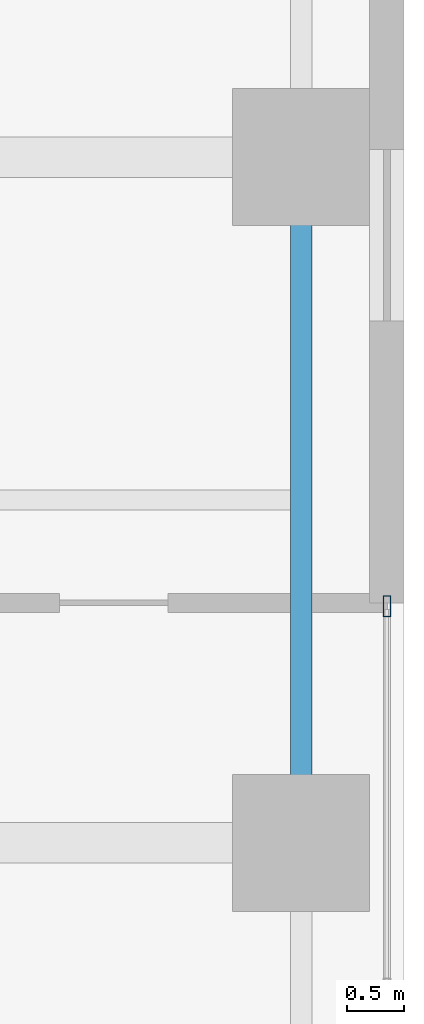
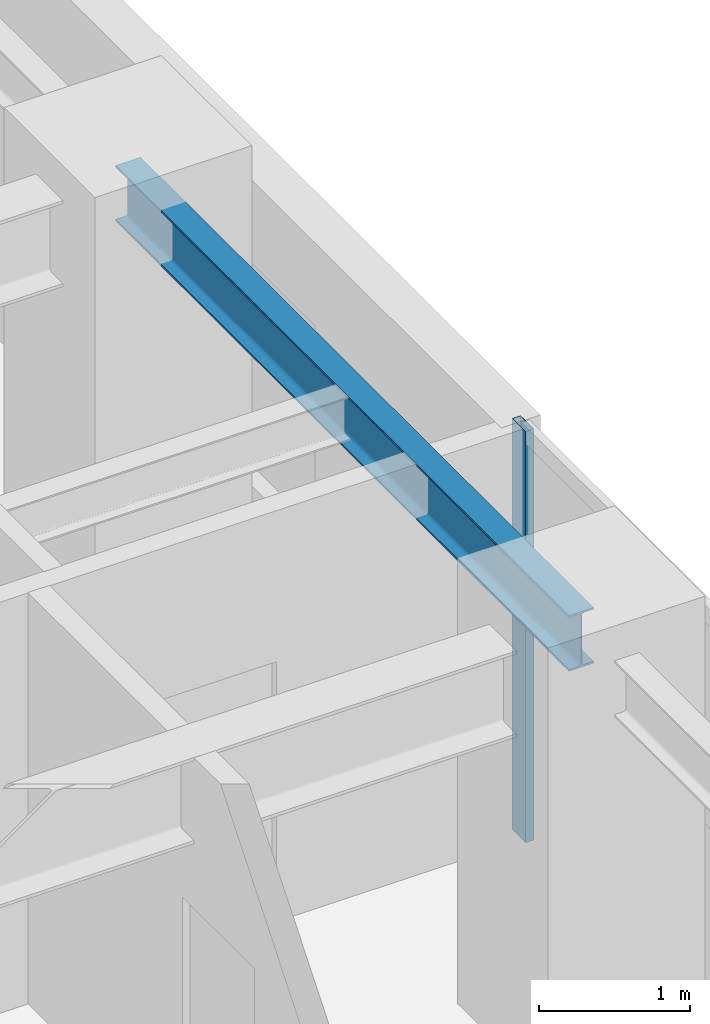
# One storey, part 17 of 24: 1 beam, 1 member, 1 element without a shape of its own.
"""IFC4 building model written with IfcOpenShell, lengths in metres."""

from ifc_helpers import new_model, si_unit, direction, frame, origin, origin_2d, place, context, subcontext, project, spatial, hollow_rectangle, i_section, extrude, source, transform, mapped, material, layer, layer_set, material_profile, profile_set, type_object, element, aggregate, save


model = new_model("IFC4")

# Units and contexts
model_context = context("Model", 3, precision=1e-05, world=origin(), true_north=direction((0.0, 1.0)))
body_context = subcontext(model_context, "Body", "Model", "MODEL_VIEW")
ifc_project = project(units=[si_unit("LENGTHUNIT", "METRE"), si_unit("AREAUNIT", "SQUARE_METRE"), si_unit("VOLUMEUNIT", "CUBIC_METRE"), si_unit("PLANEANGLEUNIT", "RADIAN"), si_unit("MASSUNIT", "GRAM", prefix="KILO")], contexts=[model_context])

# Site, building, storey
site_placement = place(None, origin())
site = spatial("IfcSite", under=ifc_project, at=site_placement, CompositionType="ELEMENT")
building_placement = place(site_placement, origin())
building = spatial("IfcBuilding", under=site, at=building_placement, Name="Khoralis Quay Care Tower", CompositionType="ELEMENT")
storey_placement = place(building_placement, frame((0.0, 0.0, 54.89990234375)))
storey = spatial("IfcBuildingStorey", under=building, at=storey_placement, Name="L14", CompositionType="ELEMENT", Elevation=54.89990234375)

# Beam
ifc_material_1 = material(Name="Steel S355", Category="steel")
ifc_material_profile_1 = material_profile(ifc_material_1, i_section(OverallWidth=0.18994140625, OverallDepth=0.449951171875, WebThickness=0.009521484375, FlangeThickness=0.0146484375, FilletRadius=0.02099609375, at=origin_2d()), Name="Steel S355")
ifc_profile_set_1 = profile_set([ifc_material_profile_1], Name="Steel S355")
beam_type = type_object("IfcBeamType", Name="BM-IPE450", PredefinedType="SPANDREL", material=ifc_profile_set_1)
shared_shape_1 = source(origin(), body_context, "Body", "SweptSolid", [
    extrude(i_section(OverallWidth=0.18994140625, OverallDepth=0.449951171875, WebThickness=0.009521484375, FlangeThickness=0.0146484375, FilletRadius=0.02099609375, at=origin_2d()), origin(), (0.0, 0.0, 1.0), 6.0),
])
beam_placement = place(storey_placement, frame((47.10009765625, 30.0, 3.09521484375), z_axis=(0.0, 1.0, 0.0), x_axis=(-1.0, 0.0, 0.0)))
element("IfcBeam", 1, at=beam_placement, inside=storey, type_object=beam_type, Name="BM-TSP-L14-23", PredefinedType="SPANDREL", context=body_context, shape_type="MappedRepresentation", body=[
    mapped(shared_shape_1, transform((0.0, 0.0, 0.0), scale=1.0)),
])

# Curtain wall, member
ifc_material_2 = material(Name="Pale anodised aluminium", Category="aluminium")
ifc_layer = layer(ifc_material_2, 0.179931640625)
ifc_layer_set = layer_set([ifc_layer], Name="Pale anodised aluminium")
curtain_wall_type = type_object("IfcCurtainWallType", Name="CW-SYS-Z1", PredefinedType="NOTDEFINED", material=ifc_layer_set)
curtain_wall_placement = place(storey_placement, origin())
curtain_wall = element("IfcCurtainWall", 2, at=curtain_wall_placement, inside=storey, type_object=curtain_wall_type, Name="L14 Unitised Curtain Wall CW-L14-P1-E5", PredefinedType="NOTDEFINED")
ifc_material_profile_2 = material_profile(ifc_material_2, hollow_rectangle(XDim=0.06494140625, YDim=0.179931640625, WallThickness=0.00390625, at=origin_2d()), Name="Pale anodised aluminium")
ifc_profile_set_2 = profile_set([ifc_material_profile_2], Name="Pale anodised aluminium")
member_type = type_object("IfcMemberType", Name="CW-MUL-180", PredefinedType="MULLION", material=ifc_profile_set_2)
shared_shape_2 = source(origin(), body_context, "Body", "SweptSolid", [
    extrude(hollow_rectangle(XDim=0.06494140625, YDim=0.179931640625, WallThickness=0.00390625, at=origin_2d()), origin(), (0.0, 0.0, 1.0), 3.320068359375),
])
member_placement = place(storey_placement, frame((47.85009765625, 32.070068359375, 0.0), z_axis=(0.0, 0.0, 1.0), x_axis=(-1.0, 0.0, 0.0)))
member = element("IfcMember", 3, at=member_placement, type_object=member_type, Name="CW1 mullion 5", PredefinedType="MULLION", context=body_context, shape_type="MappedRepresentation", body=[
    mapped(shared_shape_2, transform((0.0, 0.0, 0.0), scale=1.0)),
])
aggregate(curtain_wall, [member])

save(model, "model.ifc")
